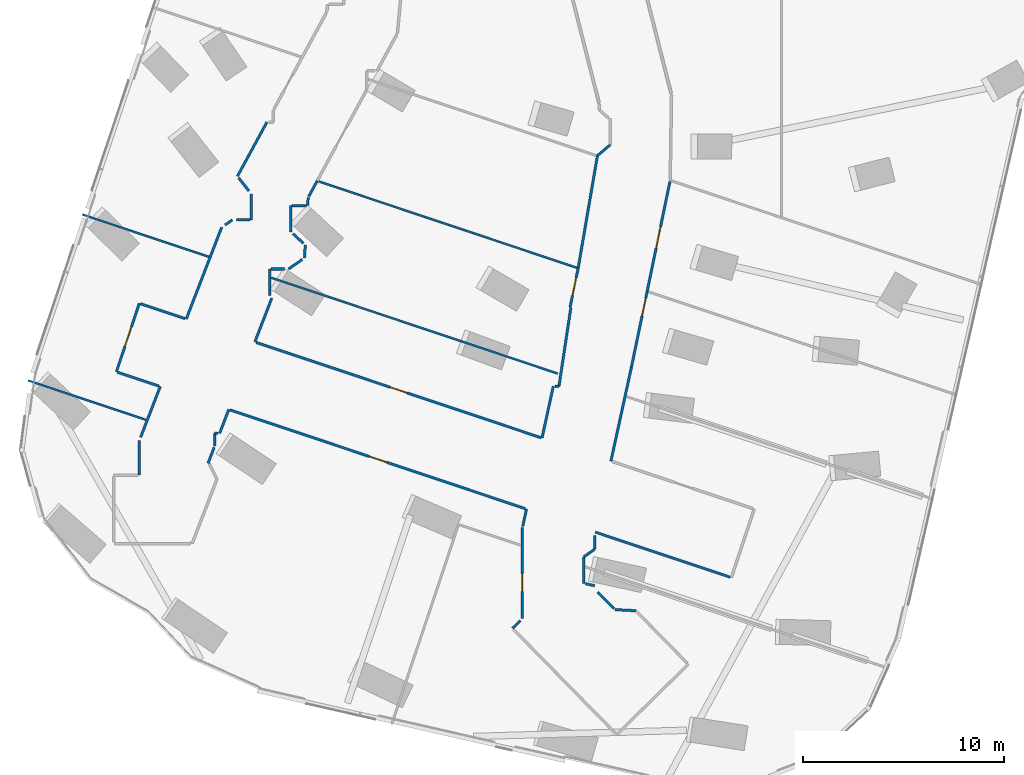
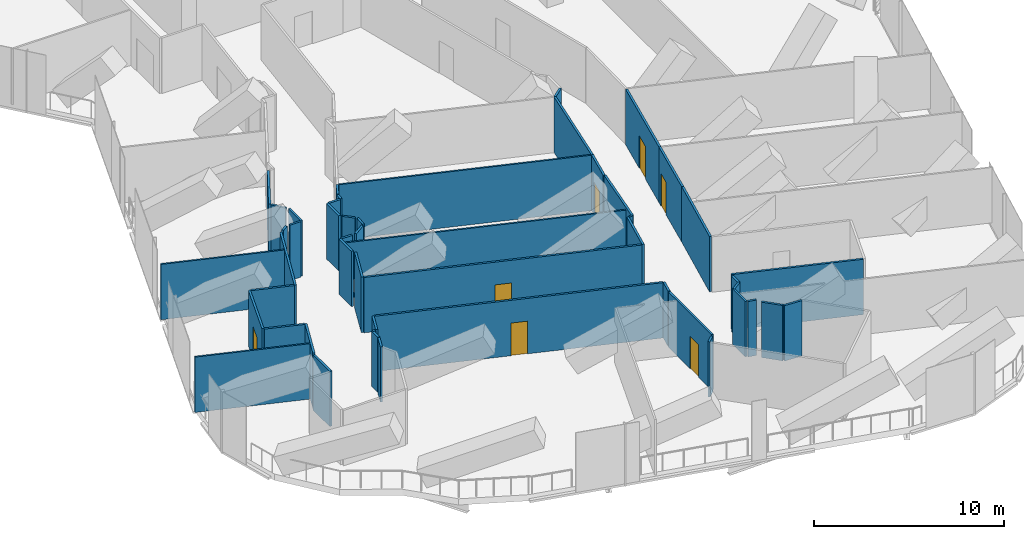
# One storey, part 19 of 28: 50 walls, 7 doors, 7 openings.
"""IFC4 building model written with IfcOpenShell, lengths in metres."""

from ifc_helpers import new_model, si_unit, direction, frame, frame_2d, origin, place, context, subcontext, project, spatial, rectangle, extrude, material, layer, layer_set, type_object, element, fill, save


model = new_model("IFC4")

# Units and contexts
model_context = context("Model", 3, precision=1e-05, world=origin(), true_north=direction((0.0, 1.0)))
body_context = subcontext(model_context, "Body", "Model", "MODEL_VIEW")
ifc_project = project(units=[si_unit("LENGTHUNIT", "METRE"), si_unit("AREAUNIT", "SQUARE_METRE"), si_unit("VOLUMEUNIT", "CUBIC_METRE"), si_unit("PLANEANGLEUNIT", "RADIAN"), si_unit("MASSUNIT", "GRAM", prefix="KILO")], contexts=[model_context])

# Site, building, storey
site_placement = place(None, origin())
site = spatial("IfcSite", under=ifc_project, at=site_placement, CompositionType="ELEMENT")
building_placement = place(site_placement, origin())
building = spatial("IfcBuilding", under=site, at=building_placement, Name="Orlundy Tower", CompositionType="ELEMENT")
storey_placement = place(building_placement, frame((0.0, 0.0, 163.10009765625)))
storey = spatial("IfcBuildingStorey", under=building, at=storey_placement, Name="L42", CompositionType="ELEMENT", Elevation=163.10009765625)

# Walls
ifc_material_1 = material(Name="Gypsum board partition")
ifc_layer_1 = layer(ifc_material_1, 0.10009765625)
ifc_layer_set_1 = layer_set([ifc_layer_1], Name="Floor partition 100")
wall_type_1 = type_object("IfcWallType", Name="Floor partition 100", PredefinedType="PARTITIONING", material=ifc_layer_set_1)
wall_1_placement = place(storey_placement, frame((-35.112060546875, -41.2919921875, 0.0), z_axis=(0.0, 0.0, 1.0), x_axis=(0.948312413327, -0.317338252863, 0.0)))
element("IfcWall", 1, at=wall_1_placement, inside=storey, type_object=wall_type_1, Name="wall-int-L42-011", PredefinedType="PARTITIONING", context=body_context, shape_type="SweptSolid", body=[
    extrude(rectangle(XDim=6.198486328125, YDim=0.10009765625, at=frame_2d((3.09912109375, 0.0))), origin(), (0.0, 0.0, 1.0), 3.559814453125),
])
wall_2_placement = place(storey_placement, frame((-32.404052734375, -33.02490234375, 0.0), z_axis=(0.0, 0.0, 1.0), x_axis=(0.948344914512, -0.317241111964, 0.0)))
element("IfcWall", 2, at=wall_2_placement, inside=storey, type_object=wall_type_1, Name="wall-int-L42-020", PredefinedType="PARTITIONING", context=body_context, shape_type="SweptSolid", body=[
    extrude(rectangle(XDim=6.6484375, YDim=0.10009765625, at=frame_2d((3.32421875, 0.0))), origin(), (0.0, 0.0, 1.0), 3.559814453125),
])
wall_3_placement = place(storey_placement, frame((-22.9951171875, -36.173095703125, 0.0), z_axis=(0.0, 0.0, 1.0), x_axis=(0.948340615741, -0.317253962207, 0.0)))
element("IfcWall", 3, at=wall_3_placement, inside=storey, type_object=wall_type_1, Name="wall-int-L42-021", PredefinedType="PARTITIONING", context=body_context, shape_type="SweptSolid", body=[
    extrude(rectangle(XDim=15.056884765625, YDim=0.10009765625, at=frame_2d((7.5283203125, 0.0))), origin(), (0.0, 0.0, 1.0), 3.559814453125),
])
wall_4_placement = place(storey_placement, frame((-20.635009765625, -31.373046875, 0.0), z_axis=(0.0, 0.0, 1.0), x_axis=(0.948310437163, -0.317344158238, 0.0)))
element("IfcWall", 4, at=wall_4_placement, inside=storey, type_object=wall_type_1, Name="wall-int-L42-023", PredefinedType="PARTITIONING", context=body_context, shape_type="SweptSolid", body=[
    extrude(rectangle(XDim=13.577880859375, YDim=0.10009765625, at=frame_2d((6.7890625, 0.0))), origin(), (0.0, 0.0, 1.0), 3.559814453125),
])
ifc_material_2 = material(Name="Gypsum board partition, double layer")
ifc_layer_2 = layer(ifc_material_2, 0.125)
ifc_layer_set_2 = layer_set([ifc_layer_2], Name="Floor partition 125")
wall_type_2 = type_object("IfcWallType", Name="Floor partition 125", PredefinedType="PARTITIONING", material=ifc_layer_set_2)
wall_5_placement = place(storey_placement, frame((-24.618896484375, -31.196044921875, 0.0), z_axis=(0.0, 0.0, 1.0), x_axis=(0.618559606331, -0.785737878313, 0.0)))
element("IfcWall", 5, at=wall_5_placement, inside=storey, type_object=wall_type_2, Name="wall-int-L42-004", PredefinedType="PARTITIONING", context=body_context, shape_type="SweptSolid", body=[
    extrude(rectangle(XDim=0.83251953125, YDim=0.125, at=frame_2d((0.416259765625, 0.0))), origin(), (0.0, 0.0, 1.0), 3.559814453125),
])
wall_6_placement = place(storey_placement, frame((-6.72900390625, -51.8330078125, 0.0), z_axis=(0.0, 0.0, 1.0), x_axis=(0.701147009795, -0.713016739394, 0.0)))
element("IfcWall", 6, at=wall_6_placement, inside=storey, type_object=wall_type_2, Name="wall-int-L42-006", PredefinedType="PARTITIONING", context=body_context, shape_type="SweptSolid", body=[
    extrude(rectangle(XDim=1.17236328125, YDim=0.125, at=frame_2d((0.586181640625, 0.0))), origin(), (0.0, 0.0, 1.0), 3.559814453125),
])
wall_7_placement = place(storey_placement, frame((-21.910888671875, -33.98193359375, 0.0), z_axis=(0.0, 0.0, 1.0), x_axis=(0.734242598688, -0.678887182286, 0.0)))
element("IfcWall", 7, at=wall_7_placement, inside=storey, type_object=wall_type_2, Name="wall-int-L42-009", PredefinedType="PARTITIONING", context=body_context, shape_type="SweptSolid", body=[
    extrude(rectangle(XDim=0.701171875, YDim=0.125, at=frame_2d((0.3505859375, 0.0))), origin(), (0.0, 0.0, 1.0), 3.559814453125),
])
wall_8_placement = place(storey_placement, frame((-30.65087890625, -40.885009765625, 0.0), z_axis=(0.0, 0.0, 1.0), x_axis=(0.948414092201, -0.317034240601, 0.0)))
element("IfcWall", 8, at=wall_8_placement, inside=storey, type_object=wall_type_2, Name="wall-int-L42-014", PredefinedType="PARTITIONING", context=body_context, shape_type="SweptSolid", body=[
    extrude(rectangle(XDim=2.17919921875, YDim=0.125, at=frame_2d((1.089599609375, 0.0))), origin(), (0.0, 0.0, 1.0), 3.559814453125),
])

# Wall, opening, door
wall_9_placement = place(storey_placement, frame((-10.333984375, -47.681884765625, 0.0), z_axis=(0.0, 0.0, 1.0), x_axis=(-0.948331823852, 0.317280241852, 0.0)))
wall_9 = element("IfcWall", 9, at=wall_9_placement, inside=storey, type_object=wall_type_2, Name="wall-int-L42-015", PredefinedType="PARTITIONING", context=body_context, shape_type="SweptSolid", body=[
    extrude(rectangle(XDim=15.515869140625, YDim=0.125, at=frame_2d((7.7578125, 0.0))), origin(), (0.0, 0.0, 1.0), 3.559814453125),
])
opening_1_placement = place(wall_9_placement, frame((7.28759765625, 0.0, 0.0)))
opening_1 = element("IfcOpeningElement", 10, at=opening_1_placement, cuts=wall_9, Name="Opening 33106", PredefinedType="OPENING", context=body_context, shape_type="SweptSolid", body=[
    extrude(rectangle(XDim=0.89990234375, YDim=2.10009765625, at=frame_2d((0.449951171875, 1.050048828125))), frame((0.0, 0.072509765625, 0.0), z_axis=(0.0, -1.0, 0.0), x_axis=(1.0, 0.0, 0.0)), (0.0, 0.0, 1.0), 0.14501953125),
])
ifc_material_3 = material(Name="Timber door leaf", Category="wood")
door_type_1 = type_object("IfcDoorType", Name="Floor door single 900 FD30S", OperationType="NOTDEFINED", PredefinedType="DOOR", material=ifc_material_3)
door_1_placement = place(opening_1_placement, origin())
door_1 = element("IfcDoor", 11, at=door_1_placement, inside=storey, type_object=door_type_1, Name="Door 33106", OperationType="SINGLE_SWING_LEFT", OverallHeight=2.10009765625, OverallWidth=0.89990234375, PredefinedType="DOOR", context=body_context, shape_type="SweptSolid", body=[
    extrude(rectangle(XDim=0.89990234375, YDim=2.10009765625, at=frame_2d((0.449951171875, 1.050048828125))), frame((0.0, 0.02490234375, 0.0), z_axis=(0.0, -1.0, 0.0), x_axis=(1.0, 0.0, 0.0)), (0.0, 0.0, 1.0), 0.050048828125),
])
fill(opening_1, door_1)

# Walls
wall_10_placement = place(storey_placement, frame((-6.840087890625, -48.85205078125, 0.0), z_axis=(0.0, 0.0, 1.0), x_axis=(0.948351729274, -0.317220739522, 0.0)))
element("IfcWall", 12, at=wall_10_placement, inside=storey, type_object=wall_type_2, Name="wall-int-L42-016", PredefinedType="PARTITIONING", context=body_context, shape_type="SweptSolid", body=[
    extrude(rectangle(XDim=7.079833984375, YDim=0.125, at=frame_2d((3.5400390625, 0.0))), origin(), (0.0, 0.0, 1.0), 3.559814453125),
])
wall_11_placement = place(storey_placement, frame((-29.508056640625, -37.469970703125, 0.0), z_axis=(0.0, 0.0, 1.0), x_axis=(0.948349174774, -0.31722837626, 0.0)))
element("IfcWall", 13, at=wall_11_placement, inside=storey, type_object=wall_type_2, Name="wall-int-L42-017", PredefinedType="PARTITIONING", context=body_context, shape_type="SweptSolid", body=[
    extrude(rectangle(XDim=2.341796875, YDim=0.125, at=frame_2d((1.1708984375, 0.0))), origin(), (0.0, 0.0, 1.0), 3.559814453125),
])

# Wall, opening, door
wall_12_placement = place(storey_placement, frame((-23.75, -39.39599609375, 0.0), z_axis=(0.0, 0.0, 1.0), x_axis=(0.948333527716, -0.317275149057, 0.0)))
wall_12 = element("IfcWall", 14, at=wall_12_placement, inside=storey, type_object=wall_type_2, Name="wall-int-L42-018", PredefinedType="PARTITIONING", context=body_context, shape_type="SweptSolid", body=[
    extrude(rectangle(XDim=14.9619140625, YDim=0.125, at=frame_2d((7.48095703125, 0.0))), origin(), (0.0, 0.0, 1.0), 3.559814453125),
])
opening_2_placement = place(wall_12_placement, frame((7.03759765625, 0.0, 0.0)))
opening_2 = element("IfcOpeningElement", 15, at=opening_2_placement, cuts=wall_12, Name="Opening 33105", PredefinedType="OPENING", context=body_context, shape_type="SweptSolid", body=[
    extrude(rectangle(XDim=0.89990234375, YDim=2.10009765625, at=frame_2d((0.449951171875, 1.050048828125))), frame((0.0, 0.072509765625, 0.0), z_axis=(0.0, -1.0, 0.0), x_axis=(1.0, 0.0, 0.0)), (0.0, 0.0, 1.0), 0.14501953125),
])
door_2_placement = place(opening_2_placement, origin())
door_2 = element("IfcDoor", 16, at=door_2_placement, inside=storey, type_object=door_type_1, Name="Door 33105", OperationType="SINGLE_SWING_RIGHT", OverallHeight=2.10009765625, OverallWidth=0.89990234375, PredefinedType="DOOR", context=body_context, shape_type="SweptSolid", body=[
    extrude(rectangle(XDim=0.89990234375, YDim=2.10009765625, at=frame_2d((0.449951171875, 1.050048828125))), frame((0.0, 0.02490234375, 0.0), z_axis=(0.0, -1.0, 0.0), x_axis=(1.0, 0.0, 0.0)), (0.0, 0.0, 1.0), 0.050048828125),
])
fill(opening_2, door_2)

# Walls
wall_13_placement = place(storey_placement, frame((-7.340087890625, -51.4208984375, 0.0), z_axis=(0.0, 0.0, 1.0), x_axis=(0.977097435109, -0.212792392496, 0.0)))
element("IfcWall", 17, at=wall_13_placement, inside=storey, type_object=wall_type_2, Name="wall-int-L42-029", PredefinedType="PARTITIONING", context=body_context, shape_type="SweptSolid", body=[
    extrude(rectangle(XDim=0.47509765625, YDim=0.125, at=frame_2d((0.237548828125, 0.0))), origin(), (0.0, 0.0, 1.0), 3.559814453125),
])
wall_14_placement = place(storey_placement, frame((-7.416015625, -50.08203125, 0.0), z_axis=(0.0, 0.0, 1.0), x_axis=(0.819301517876, 0.573362906723, 0.0)))
element("IfcWall", 18, at=wall_14_placement, inside=storey, type_object=wall_type_2, Name="wall-int-L42-030", PredefinedType="PARTITIONING", context=body_context, shape_type="SweptSolid", body=[
    extrude(rectangle(XDim=0.6591796875, YDim=0.125, at=frame_2d((0.32958984375, 0.0))), origin(), (0.0, 0.0, 1.0), 3.559814453125),
])
wall_15_placement = place(storey_placement, frame((-25.81298828125, -43.927001953125, 0.0), z_axis=(0.0, 0.0, 1.0), x_axis=(1.0, 0.0, 0.0)))
element("IfcWall", 19, at=wall_15_placement, inside=storey, type_object=wall_type_2, Name="wall-int-L42-032", PredefinedType="PARTITIONING", context=body_context, shape_type="SweptSolid", body=[
    extrude(rectangle(XDim=0.156982421875, YDim=0.125, at=frame_2d((0.07861328125, 0.0))), origin(), (0.0, 0.0, 1.0), 3.559814453125),
])
wall_16_placement = place(storey_placement, frame((-8.861083984375, -41.58203125, 0.0), z_axis=(0.0, 0.0, 1.0), x_axis=(1.0, 0.0, 0.0)))
element("IfcWall", 20, at=wall_16_placement, inside=storey, type_object=wall_type_2, Name="wall-int-L42-033", PredefinedType="PARTITIONING", context=body_context, shape_type="SweptSolid", body=[
    extrude(rectangle(XDim=0.2041015625, YDim=0.125, at=frame_2d((0.10205078125, 0.0))), origin(), (0.0, 0.0, 1.0), 3.559814453125),
])
for number, where, z_axis, x_axis, name in (
    (21, (-23.010986328125, -35.739990234375, 0.0), (0.0, 0.0, 1.0), (1.0, 0.0, 0.0), "wall-int-L42-034"),
    (22, (-24.73193359375, -33.2958984375, 0.0), (0.0, 0.0, 1.0), (1.0, 0.0, 0.0), "wall-int-L42-035"),
):
    element("IfcWall", number, at=place(storey_placement, frame(where, z_axis=z_axis, x_axis=x_axis)), inside=storey, type_object=wall_type_2, Name=name, PredefinedType="PARTITIONING", context=body_context, shape_type="SweptSolid", body=[
        extrude(rectangle(XDim=0.677001953125, YDim=0.125, at=frame_2d((0.33837890625, 0.0))), origin(), (0.0, 0.0, 1.0), 3.559814453125),
    ])
wall_17_placement = place(storey_placement, frame((-21.952880859375, -32.5791015625, 0.0), z_axis=(0.0, 0.0, 1.0), x_axis=(1.0, 0.0, 0.0)))
element("IfcWall", 23, at=wall_17_placement, inside=storey, type_object=wall_type_2, Name="wall-int-L42-036", PredefinedType="PARTITIONING", context=body_context, shape_type="SweptSolid", body=[
    extrude(rectangle(XDim=0.7119140625, YDim=0.125, at=frame_2d((0.35595703125, 0.0))), origin(), (0.0, 0.0, 1.0), 3.559814453125),
])
wall_18_placement = place(storey_placement, frame((-6.739990234375, -30.091064453125, 0.0), z_axis=(0.0, 0.0, 1.0), x_axis=(0.764596628784, 0.644509111846, 0.0)))
element("IfcWall", 24, at=wall_18_placement, inside=storey, type_object=wall_type_2, Name="wall-int-L42-037", PredefinedType="PARTITIONING", context=body_context, shape_type="SweptSolid", body=[
    extrude(rectangle(XDim=0.825439453125, YDim=0.125, at=frame_2d((0.41259765625, 0.0))), origin(), (0.0, 0.0, 1.0), 3.559814453125),
])
wall_19_placement = place(storey_placement, frame((-22.133056640625, -35.739013671875, 0.0), z_axis=(0.0, 0.0, 1.0), x_axis=(0.823786317289, 0.566900435215, 0.0)))
element("IfcWall", 25, at=wall_19_placement, inside=storey, type_object=wall_type_2, Name="wall-int-L42-058", PredefinedType="PARTITIONING", context=body_context, shape_type="SweptSolid", body=[
    extrude(rectangle(XDim=0.83642578125, YDim=0.125, at=frame_2d((0.418212890625, 0.0))), origin(), (0.0, 0.0, 1.0), 3.559814453125),
])
wall_20_placement = place(storey_placement, frame((-25.298095703125, -33.548095703125, 0.0), z_axis=(0.0, 0.0, 1.0), x_axis=(0.823993675882, 0.566598995857, 0.0)))
element("IfcWall", 26, at=wall_20_placement, inside=storey, type_object=wall_type_2, Name="wall-int-L42-059", PredefinedType="PARTITIONING", context=body_context, shape_type="SweptSolid", body=[
    extrude(rectangle(XDim=0.44287109375, YDim=0.125, at=frame_2d((0.221435546875, 0.0))), origin(), (0.0, 0.0, 1.0), 3.559814453125),
])
wall_21_placement = place(storey_placement, frame((-5.863037109375, -52.714111328125, 0.0), z_axis=(0.0, 0.0, 1.0), x_axis=(0.998638615088, -0.052162404617, 0.0)))
element("IfcWall", 27, at=wall_21_placement, inside=storey, type_object=wall_type_2, Name="wall-int-L42-061", PredefinedType="PARTITIONING", context=body_context, shape_type="SweptSolid", body=[
    extrude(rectangle(XDim=1.034423828125, YDim=0.125, at=frame_2d((0.51708984375, 0.0))), origin(), (0.0, 0.0, 1.0), 3.559814453125),
])
wall_22_placement = place(storey_placement, frame((-10.97607421875, -53.64501953125, 0.0), z_axis=(0.0, 0.0, 1.0), x_axis=(0.713503545627, 0.700651618408, 0.0)))
element("IfcWall", 28, at=wall_22_placement, inside=storey, type_object=wall_type_2, Name="wall-int-L42-062", PredefinedType="PARTITIONING", context=body_context, shape_type="SweptSolid", body=[
    extrude(rectangle(XDim=0.55078125, YDim=0.125, at=frame_2d((0.275390625, 0.0))), origin(), (0.0, 0.0, 1.0), 3.559814453125),
])
wall_23_placement = place(storey_placement, frame((-21.1240234375, -32.1220703125, 0.0), z_axis=(0.0, 0.0, 1.0), x_axis=(0.47783965022, 0.878447077904, 0.0)))
element("IfcWall", 29, at=wall_23_placement, inside=storey, type_object=wall_type_2, Name="wall-int-L42-063", PredefinedType="PARTITIONING", context=body_context, shape_type="SweptSolid", body=[
    extrude(rectangle(XDim=0.87890625, YDim=0.125, at=frame_2d((0.439453125, 0.0))), origin(), (0.0, 0.0, 1.0), 3.559814453125),
])
wall_24_placement = place(storey_placement, frame((-24.677978515625, -31.1201171875, 0.0), z_axis=(0.0, 0.0, 1.0), x_axis=(0.477944124061, 0.878390240312, 0.0)))
element("IfcWall", 30, at=wall_24_placement, inside=storey, type_object=wall_type_2, Name="wall-int-L42-066", PredefinedType="PARTITIONING", context=body_context, shape_type="SweptSolid", body=[
    extrude(rectangle(XDim=3.071533203125, YDim=0.125, at=frame_2d((1.53564453125, 0.0))), origin(), (0.0, 0.0, 1.0), 3.559814453125),
])
wall_25_placement = place(storey_placement, frame((-23.80908203125, -39.3759765625, 0.0), z_axis=(0.0, 0.0, 1.0), x_axis=(0.359901914005, 0.932990145873, 0.0)))
element("IfcWall", 31, at=wall_25_placement, inside=storey, type_object=wall_type_2, Name="wall-int-L42-069", PredefinedType="PARTITIONING", context=body_context, shape_type="SweptSolid", body=[
    extrude(rectangle(XDim=2.339599609375, YDim=0.125, at=frame_2d((1.169921875, 0.0))), origin(), (0.0, 0.0, 1.0), 3.559814453125),
])
wall_26_placement = place(storey_placement, frame((-26.14208984375, -45.4208984375, 0.0), z_axis=(0.0, 0.0, 1.0), x_axis=(0.360172075404, 0.932885885894, 0.0)))
element("IfcWall", 32, at=wall_26_placement, inside=storey, type_object=wall_type_2, Name="wall-int-L42-070", PredefinedType="PARTITIONING", context=body_context, shape_type="SweptSolid", body=[
    extrude(rectangle(XDim=0.85009765625, YDim=0.125, at=frame_2d((0.425048828125, 0.0))), origin(), (0.0, 0.0, 1.0), 3.559814453125),
])
wall_27_placement = place(storey_placement, frame((-25.56494140625, -43.926025390625, 0.0), z_axis=(0.0, 0.0, 1.0), x_axis=(0.359981832882, 0.932959313151, 0.0)))
element("IfcWall", 33, at=wall_27_placement, inside=storey, type_object=wall_type_2, Name="wall-int-L42-071", PredefinedType="PARTITIONING", context=body_context, shape_type="SweptSolid", body=[
    extrude(rectangle(XDim=1.272216796875, YDim=0.125, at=frame_2d((0.63623046875, 0.0))), origin(), (0.0, 0.0, 1.0), 3.559814453125),
])
wall_28_placement = place(storey_placement, frame((-28.52490234375, -41.595947265625, 0.0), z_axis=(0.0, 0.0, 1.0), x_axis=(-0.360180137792, -0.932882773096, 0.0)))
element("IfcWall", 34, at=wall_28_placement, inside=storey, type_object=wall_type_2, Name="wall-int-L42-072", PredefinedType="PARTITIONING", context=body_context, shape_type="SweptSolid", body=[
    extrude(rectangle(XDim=2.7099609375, YDim=0.125, at=frame_2d((1.35498046875, 0.0))), origin(), (0.0, 0.0, 1.0), 3.559814453125),
])
wall_29_placement = place(storey_placement, frame((-25.464111328125, -33.6630859375, 0.0), z_axis=(0.0, 0.0, 1.0), x_axis=(-0.360097663696, -0.932914611634, 0.0)))
element("IfcWall", 35, at=wall_29_placement, inside=storey, type_object=wall_type_2, Name="wall-int-L42-073", PredefinedType="PARTITIONING", context=body_context, shape_type="SweptSolid", body=[
    extrude(rectangle(XDim=4.8984375, YDim=0.125, at=frame_2d((2.44921875, 0.0))), origin(), (0.0, 0.0, 1.0), 3.559814453125),
])

# Wall, opening, door
wall_30_placement = place(storey_placement, frame((-30.7099609375, -40.864013671875, 0.0), z_axis=(0.0, 0.0, 1.0), x_axis=(0.317183836314, 0.948364072485, 0.0)))
wall_30 = element("IfcWall", 36, at=wall_30_placement, inside=storey, type_object=wall_type_2, Name="wall-int-L42-076", PredefinedType="PARTITIONING", context=body_context, shape_type="SweptSolid", body=[
    extrude(rectangle(XDim=3.599853515625, YDim=0.125, at=frame_2d((1.7998046875, 0.0))), origin(), (0.0, 0.0, 1.0), 3.559814453125),
])
opening_3_placement = place(wall_30_placement, frame((1.35009765625, 0.0, 0.0)))
opening_3 = element("IfcOpeningElement", 37, at=opening_3_placement, cuts=wall_30, Name="Opening 33109", PredefinedType="OPENING", context=body_context, shape_type="SweptSolid", body=[
    extrude(rectangle(XDim=1.0, YDim=2.10009765625, at=frame_2d((0.5, 1.050048828125))), frame((0.0, 0.072509765625, 0.0), z_axis=(0.0, -1.0, 0.0), x_axis=(1.0, 0.0, 0.0)), (0.0, 0.0, 1.0), 0.14501953125),
])
ifc_material_4 = material(Name="Timber door leaf", Category="wood")
door_type_2 = type_object("IfcDoorType", Name="Floor door wide 1000 FD30S", OperationType="NOTDEFINED", PredefinedType="DOOR", material=ifc_material_4)
door_3_placement = place(opening_3_placement, origin())
door_3 = element("IfcDoor", 38, at=door_3_placement, inside=storey, type_object=door_type_2, Name="Door 33109", OperationType="SINGLE_SWING_RIGHT", OverallHeight=2.10009765625, OverallWidth=1.0, PredefinedType="DOOR", context=body_context, shape_type="SweptSolid", body=[
    extrude(rectangle(XDim=1.0, YDim=2.10009765625, at=frame_2d((0.5, 1.050048828125))), frame((0.0, 0.02490234375, 0.0), z_axis=(0.0, -1.0, 0.0), x_axis=(1.0, 0.0, 0.0)), (0.0, 0.0, 1.0), 0.050048828125),
])
fill(opening_3, door_3)

# Walls
wall_31_placement = place(storey_placement, frame((-6.06689453125, -45.31298828125, 0.0), z_axis=(0.0, 0.0, 1.0), x_axis=(0.213119450634, 0.977026151012, 0.0)))
element("IfcWall", 39, at=wall_31_placement, inside=storey, type_object=wall_type_2, Name="wall-int-L42-077", PredefinedType="PARTITIONING", context=body_context, shape_type="SweptSolid", body=[
    extrude(rectangle(XDim=4.804443359375, YDim=0.125, at=frame_2d((2.40234375, 0.0))), origin(), (0.0, 0.0, 1.0), 3.559814453125),
])
wall_32_placement = place(storey_placement, frame((-9.501953125, -44.1630859375, 0.0), z_axis=(0.0, 0.0, 1.0), x_axis=(0.213189538539, 0.977010860051, 0.0)))
element("IfcWall", 40, at=wall_32_placement, inside=storey, type_object=wall_type_2, Name="wall-int-L42-078", PredefinedType="PARTITIONING", context=body_context, shape_type="SweptSolid", body=[
    extrude(rectangle(XDim=2.640869140625, YDim=0.125, at=frame_2d((1.3203125, 0.0))), origin(), (0.0, 0.0, 1.0), 3.559814453125),
])
wall_33_placement = place(storey_placement, frame((-8.656982421875, -41.58203125, 0.0), z_axis=(0.0, 0.0, 1.0), x_axis=(0.149631731306, 0.988741798948, 0.0)))
element("IfcWall", 41, at=wall_33_placement, inside=storey, type_object=wall_type_2, Name="wall-int-L42-079", PredefinedType="PARTITIONING", context=body_context, shape_type="SweptSolid", body=[
    extrude(rectangle(XDim=3.95654296875, YDim=0.125, at=frame_2d((1.978271484375, 0.0))), origin(), (0.0, 0.0, 1.0), 3.559814453125),
])
wall_34_placement = place(storey_placement, frame((-10.462890625, -48.56689453125, 0.0), z_axis=(0.0, 0.0, 1.0), x_axis=(0.212372391341, 0.977188808469, 0.0)))
element("IfcWall", 42, at=wall_34_placement, inside=storey, type_object=wall_type_2, Name="wall-int-L42-080", PredefinedType="PARTITIONING", context=body_context, shape_type="SweptSolid", body=[
    extrude(rectangle(XDim=0.88525390625, YDim=0.125, at=frame_2d((0.442626953125, 0.0))), origin(), (0.0, 0.0, 1.0), 3.559814453125),
])

# Wall, opening, door
wall_35_placement = place(storey_placement, frame((-3.1279296875, -31.385009765625, 0.0), z_axis=(0.0, 0.0, 1.0), x_axis=(-0.20310730471, -0.979156485335, 0.0)))
wall_35 = element("IfcWall", 43, at=wall_35_placement, inside=storey, type_object=wall_type_2, Name="wall-int-L42-081", PredefinedType="PARTITIONING", context=body_context, shape_type="SweptSolid", body=[
    extrude(rectangle(XDim=5.58349609375, YDim=0.125, at=frame_2d((2.791748046875, 0.0))), origin(), (0.0, 0.0, 1.0), 3.559814453125),
])
opening_4_placement = place(wall_35_placement, frame((2.28759765625, 0.0, 0.0)))
opening_4 = element("IfcOpeningElement", 44, at=opening_4_placement, cuts=wall_35, Name="Opening 33100", PredefinedType="OPENING", context=body_context, shape_type="SweptSolid", body=[
    extrude(rectangle(XDim=1.10009765625, YDim=2.10009765625, at=frame_2d((0.550048828125, 1.050048828125))), frame((0.0, 0.072509765625, 0.0), z_axis=(0.0, -1.0, 0.0), x_axis=(1.0, 0.0, 0.0)), (0.0, 0.0, 1.0), 0.14501953125),
])
ifc_material_5 = material(Name="Timber door leaf", Category="wood")
door_type_3 = type_object("IfcDoorType", Name="Floor door xwide 1100 FD30S", OperationType="NOTDEFINED", PredefinedType="DOOR", material=ifc_material_5)
door_4_placement = place(opening_4_placement, origin())
door_4 = element("IfcDoor", 45, at=door_4_placement, inside=storey, type_object=door_type_3, Name="Door 33100", OperationType="SINGLE_SWING_RIGHT", OverallHeight=2.10009765625, OverallWidth=1.10009765625, PredefinedType="DOOR", context=body_context, shape_type="SweptSolid", body=[
    extrude(rectangle(XDim=1.10009765625, YDim=2.10009765625, at=frame_2d((0.550048828125, 1.050048828125))), frame((0.0, 0.02490234375, 0.0), z_axis=(0.0, -1.0, 0.0), x_axis=(1.0, 0.0, 0.0)), (0.0, 0.0, 1.0), 0.050048828125),
])
fill(opening_4, door_4)

wall_36_placement = place(storey_placement, frame((-4.261962890625, -36.85205078125, 0.0), z_axis=(0.0, 0.0, 1.0), x_axis=(-0.203069477796, -0.979164331043, 0.0)))
wall_36 = element("IfcWall", 46, at=wall_36_placement, inside=storey, type_object=wall_type_2, Name="wall-int-L42-082", PredefinedType="PARTITIONING", context=body_context, shape_type="SweptSolid", body=[
    extrude(rectangle(XDim=3.845947265625, YDim=0.125, at=frame_2d((1.9228515625, 0.0))), origin(), (0.0, 0.0, 1.0), 3.559814453125),
])
opening_5_placement = place(wall_36_placement, frame((0.35009765625, 0.0, 0.0)))
opening_5 = element("IfcOpeningElement", 47, at=opening_5_placement, cuts=wall_36, Name="Opening 33101", PredefinedType="OPENING", context=body_context, shape_type="SweptSolid", body=[
    extrude(rectangle(XDim=0.89990234375, YDim=2.10009765625, at=frame_2d((0.449951171875, 1.050048828125))), frame((0.0, 0.072509765625, 0.0), z_axis=(0.0, -1.0, 0.0), x_axis=(1.0, 0.0, 0.0)), (0.0, 0.0, 1.0), 0.14501953125),
])
door_5_placement = place(opening_5_placement, origin())
door_5 = element("IfcDoor", 48, at=door_5_placement, inside=storey, type_object=door_type_1, Name="Door 33101", OperationType="SINGLE_SWING_LEFT", OverallHeight=2.10009765625, OverallWidth=0.89990234375, PredefinedType="DOOR", context=body_context, shape_type="SweptSolid", body=[
    extrude(rectangle(XDim=0.89990234375, YDim=2.10009765625, at=frame_2d((0.449951171875, 1.050048828125))), frame((0.0, 0.02490234375, 0.0), z_axis=(0.0, -1.0, 0.0), x_axis=(1.0, 0.0, 0.0)), (0.0, 0.0, 1.0), 0.050048828125),
])
fill(opening_5, door_5)

wall_37_placement = place(storey_placement, frame((-8.10400390625, -37.64697265625, 0.0), z_axis=(0.0, 0.0, 1.0), x_axis=(0.20338984767, 0.979097834675, 0.0)))
wall_37 = element("IfcWall", 49, at=wall_37_placement, inside=storey, type_object=wall_type_2, Name="wall-int-L42-084", PredefinedType="PARTITIONING", context=body_context, shape_type="SweptSolid", body=[
    extrude(rectangle(XDim=1.986572265625, YDim=0.125, at=frame_2d((0.9931640625, 0.0))), origin(), (0.0, 0.0, 1.0), 3.559814453125),
])
opening_6_placement = place(wall_37_placement, frame((0.60009765625, 0.0, 0.0)))
opening_6 = element("IfcOpeningElement", 50, at=opening_6_placement, cuts=wall_37, Name="Opening 33104", PredefinedType="OPENING", context=body_context, shape_type="SweptSolid", body=[
    extrude(rectangle(XDim=0.89990234375, YDim=2.10009765625, at=frame_2d((0.449951171875, 1.050048828125))), frame((0.0, 0.072509765625, 0.0), z_axis=(0.0, -1.0, 0.0), x_axis=(1.0, 0.0, 0.0)), (0.0, 0.0, 1.0), 0.14501953125),
])
door_6_placement = place(opening_6_placement, origin())
door_6 = element("IfcDoor", 51, at=door_6_placement, inside=storey, type_object=door_type_1, Name="Door 33104", OperationType="SINGLE_SWING_RIGHT", OverallHeight=2.10009765625, OverallWidth=0.89990234375, PredefinedType="DOOR", context=body_context, shape_type="SweptSolid", body=[
    extrude(rectangle(XDim=0.89990234375, YDim=2.10009765625, at=frame_2d((0.449951171875, 1.050048828125))), frame((0.0, 0.02490234375, 0.0), z_axis=(0.0, -1.0, 0.0), x_axis=(1.0, 0.0, 0.0)), (0.0, 0.0, 1.0), 0.050048828125),
])
fill(opening_6, door_6)

# Walls
wall_38_placement = place(storey_placement, frame((-7.699951171875, -35.701904296875, 0.0), z_axis=(0.0, 0.0, 1.0), x_axis=(0.168640011859, 0.985677709193, 0.0)))
element("IfcWall", 52, at=wall_38_placement, inside=storey, type_object=wall_type_2, Name="wall-int-L42-085", PredefinedType="PARTITIONING", context=body_context, shape_type="SweptSolid", body=[
    extrude(rectangle(XDim=5.6923828125, YDim=0.125, at=frame_2d((2.84619140625, 0.0))), origin(), (0.0, 0.0, 1.0), 3.559814453125),
])
wall_39_placement = place(storey_placement, frame((-21.178955078125, -32.577880859375, 0.0), z_axis=(0.0, 0.0, 1.0), x_axis=(0.06199985879, 0.998076158171, 0.0)))
element("IfcWall", 53, at=wall_39_placement, inside=storey, type_object=wall_type_2, Name="wall-int-L42-089", PredefinedType="PARTITIONING", context=body_context, shape_type="SweptSolid", body=[
    extrude(rectangle(XDim=0.401611328125, YDim=0.125, at=frame_2d((0.20068359375, 0.0))), origin(), (0.0, 0.0, 1.0), 3.559814453125),
])
wall_40_placement = place(storey_placement, frame((-21.337890625, -35.19091796875, 0.0), z_axis=(0.0, 0.0, 1.0), x_axis=(0.060277585587, 0.998181653145, 0.0)))
element("IfcWall", 54, at=wall_40_placement, inside=storey, type_object=wall_type_2, Name="wall-int-L42-090", PredefinedType="PARTITIONING", context=body_context, shape_type="SweptSolid", body=[
    extrude(rectangle(XDim=0.64404296875, YDim=0.125, at=frame_2d((0.322021484375, 0.0))), origin(), (0.0, 0.0, 1.0), 3.559814453125),
])
wall_41_placement = place(storey_placement, frame((-6.8759765625, -49.7041015625, 0.0), z_axis=(0.0, 0.0, 1.0), x_axis=(0.0, 1.0, 0.0)))
element("IfcWall", 55, at=wall_41_placement, inside=storey, type_object=wall_type_2, Name="wall-int-L42-100", PredefinedType="PARTITIONING", context=body_context, shape_type="SweptSolid", body=[
    extrude(rectangle(XDim=0.68798828125, YDim=0.125, at=frame_2d((0.343994140625, 0.0))), origin(), (0.0, 0.0, 1.0), 3.559814453125),
])
wall_42_placement = place(storey_placement, frame((-7.416015625, -51.404052734375, 0.0), z_axis=(0.0, 0.0, 1.0), x_axis=(0.0, 1.0, 0.0)))
element("IfcWall", 56, at=wall_42_placement, inside=storey, type_object=wall_type_2, Name="wall-int-L42-101", PredefinedType="PARTITIONING", context=body_context, shape_type="SweptSolid", body=[
    extrude(rectangle(XDim=1.322021484375, YDim=0.125, at=frame_2d((0.6611328125, 0.0))), origin(), (0.0, 0.0, 1.0), 3.559814453125),
])

# Wall, opening, door
wall_43_placement = place(storey_placement, frame((-10.47705078125, -53.154052734375, 0.0), z_axis=(0.0, 0.0, 1.0), x_axis=(0.0, 1.0, 0.0)))
wall_43 = element("IfcWall", 57, at=wall_43_placement, inside=storey, type_object=wall_type_2, Name="wall-int-L42-102", PredefinedType="PARTITIONING", context=body_context, shape_type="SweptSolid", body=[
    extrude(rectangle(XDim=4.525146484375, YDim=0.125, at=frame_2d((2.2626953125, 0.0))), origin(), (0.0, 0.0, 1.0), 3.559814453125),
])
opening_7_placement = place(wall_43_placement, frame((1.35009765625, 0.0, 0.0)))
opening_7 = element("IfcOpeningElement", 58, at=opening_7_placement, cuts=wall_43, Name="Opening 33107", PredefinedType="OPENING", context=body_context, shape_type="SweptSolid", body=[
    extrude(rectangle(XDim=0.89990234375, YDim=2.10009765625, at=frame_2d((0.449951171875, 1.050048828125))), frame((0.0, 0.072509765625, 0.0), z_axis=(0.0, -1.0, 0.0), x_axis=(1.0, 0.0, 0.0)), (0.0, 0.0, 1.0), 0.14501953125),
])
door_7_placement = place(opening_7_placement, origin())
door_7 = element("IfcDoor", 59, at=door_7_placement, inside=storey, type_object=door_type_1, Name="Door 33107", OperationType="SINGLE_SWING_LEFT", OverallHeight=2.10009765625, OverallWidth=0.89990234375, PredefinedType="DOOR", context=body_context, shape_type="SweptSolid", body=[
    extrude(rectangle(XDim=0.89990234375, YDim=2.10009765625, at=frame_2d((0.449951171875, 1.050048828125))), frame((0.0, 0.02490234375, 0.0), z_axis=(0.0, -1.0, 0.0), x_axis=(1.0, 0.0, 0.0)), (0.0, 0.0, 1.0), 0.050048828125),
])
fill(opening_7, door_7)

# Walls
wall_44_placement = place(storey_placement, frame((-22.01611328125, -33.885009765625, 0.0), z_axis=(0.0, 0.0, 1.0), x_axis=(0.0, 1.0, 0.0)))
element("IfcWall", 60, at=wall_44_placement, inside=storey, type_object=wall_type_2, Name="wall-int-L42-106", PredefinedType="PARTITIONING", context=body_context, shape_type="SweptSolid", body=[
    extrude(rectangle(XDim=1.305908203125, YDim=0.125, at=frame_2d((0.65283203125, 0.0))), origin(), (0.0, 0.0, 1.0), 3.559814453125),
])
wall_45_placement = place(storey_placement, frame((-23.072998046875, -37.050048828125, 0.0), z_axis=(0.0, 0.0, 1.0), x_axis=(0.0, 1.0, 0.0)))
element("IfcWall", 61, at=wall_45_placement, inside=storey, type_object=wall_type_2, Name="wall-int-L42-109", PredefinedType="PARTITIONING", context=body_context, shape_type="SweptSolid", body=[
    extrude(rectangle(XDim=1.31005859375, YDim=0.125, at=frame_2d((0.655029296875, 0.0))), origin(), (0.0, 0.0, 1.0), 3.559814453125),
])
wall_46_placement = place(storey_placement, frame((-23.991943359375, -33.2958984375, 0.0), z_axis=(0.0, 0.0, 1.0), x_axis=(0.0, 1.0, 0.0)))
element("IfcWall", 62, at=wall_46_placement, inside=storey, type_object=wall_type_2, Name="wall-int-L42-110", PredefinedType="PARTITIONING", context=body_context, shape_type="SweptSolid", body=[
    extrude(rectangle(XDim=1.303955078125, YDim=0.125, at=frame_2d((0.65185546875, 0.0))), origin(), (0.0, 0.0, 1.0), 3.559814453125),
])
wall_47_placement = place(storey_placement, frame((-25.81298828125, -44.569091796875, 0.0), z_axis=(0.0, 0.0, 1.0), x_axis=(0.0, 1.0, 0.0)))
element("IfcWall", 63, at=wall_47_placement, inside=storey, type_object=wall_type_2, Name="wall-int-L42-112", PredefinedType="PARTITIONING", context=body_context, shape_type="SweptSolid", body=[
    extrude(rectangle(XDim=0.64208984375, YDim=0.125, at=frame_2d((0.321044921875, 0.0))), origin(), (0.0, 0.0, 1.0), 3.559814453125),
])
wall_48_placement = place(storey_placement, frame((-29.56298828125, -46.01611328125, 0.0), z_axis=(0.0, 0.0, 1.0), x_axis=(-0.005778620923, 0.999983303631, 0.0)))
element("IfcWall", 64, at=wall_48_placement, inside=storey, type_object=wall_type_2, Name="wall-int-L42-114", PredefinedType="PARTITIONING", context=body_context, shape_type="SweptSolid", body=[
    extrude(rectangle(XDim=1.732177734375, YDim=0.125, at=frame_2d((0.8662109375, 0.0))), origin(), (0.0, 0.0, 1.0), 3.559814453125),
])

save(model, "model.ifc")
